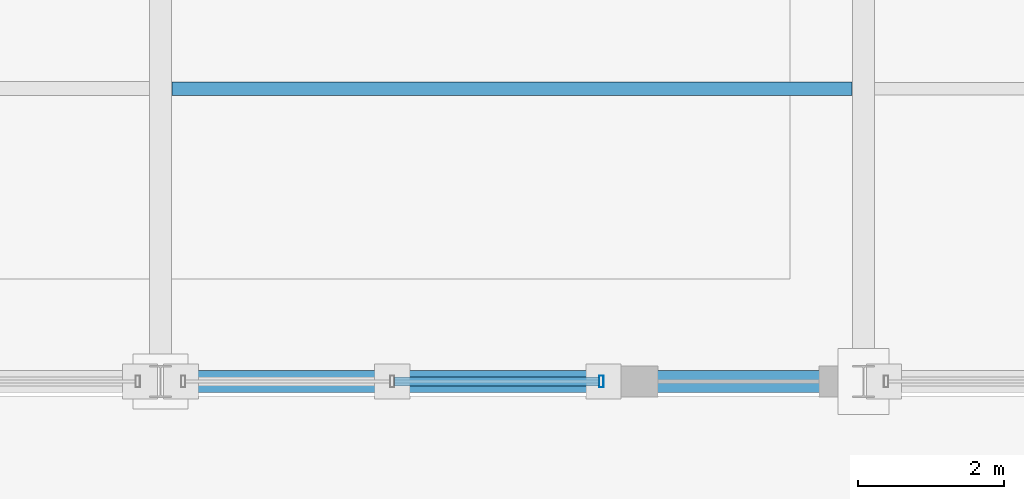
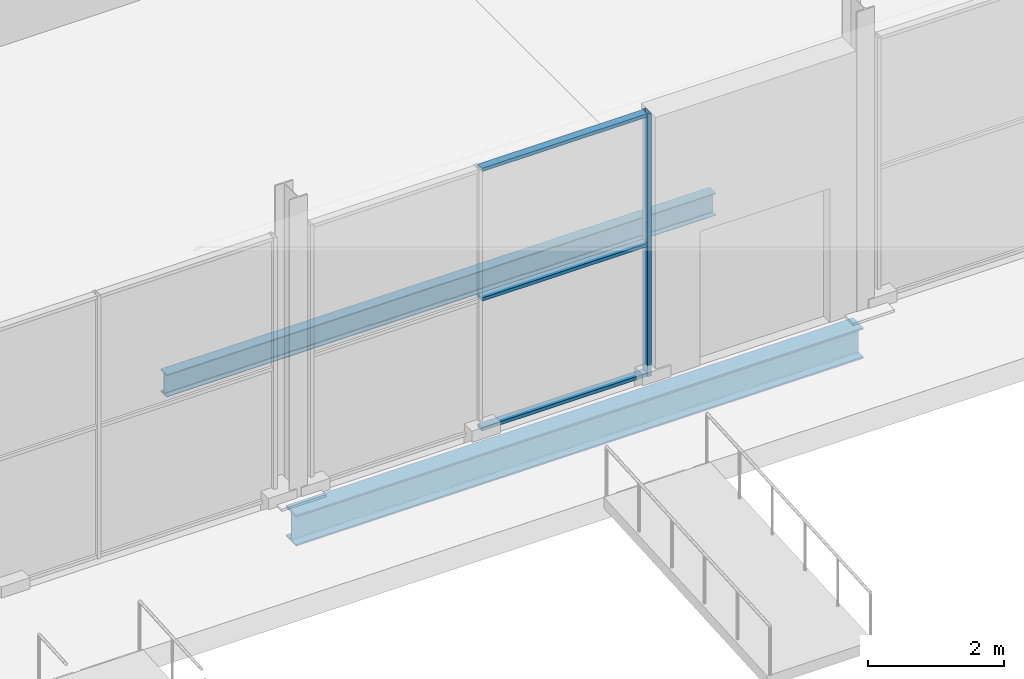
# One storey, part 37 of 196: 4 members, 2 beams, 1 element without a shape of its own.
"""IFC4 building model written with IfcOpenShell, lengths in metres."""

from ifc_helpers import new_model, si_unit, direction, frame, origin, origin_2d, place, context, subcontext, project, spatial, hollow_rectangle, i_section, extrude, material, material_profile, profile_set, type_object, element, aggregate, save


model = new_model("IFC4")

# Units and contexts
model_context = context("Model", 3, precision=1e-05, world=origin(), true_north=direction((0.0, 1.0)))
body_context = subcontext(model_context, "Body", "Model", "MODEL_VIEW")
ifc_project = project(units=[si_unit("LENGTHUNIT", "METRE"), si_unit("AREAUNIT", "SQUARE_METRE"), si_unit("VOLUMEUNIT", "CUBIC_METRE"), si_unit("PLANEANGLEUNIT", "RADIAN"), si_unit("MASSUNIT", "GRAM", prefix="KILO")], contexts=[model_context])

# Site, building, storey
site_placement = place(None, origin())
site = spatial("IfcSite", under=ifc_project, at=site_placement, CompositionType="ELEMENT")
building_placement = place(site_placement, origin())
building = spatial("IfcBuilding", under=site, at=building_placement, Name="Merenkruunu Market Hall", CompositionType="ELEMENT")
storey_placement = place(building_placement, origin())
storey = spatial("IfcBuildingStorey", under=building, at=storey_placement, Name="L00", CompositionType="ELEMENT", Elevation=0.0)

# Curtain wall, members
ifc_material_1 = material(Name="Powder-coated aluminium", Category="aluminium")
curtain_wall_type = type_object("IfcCurtainWallType", Name="Glazed Curtain Wall CW06", PredefinedType="USERDEFINED", material=ifc_material_1)
curtain_wall_placement = place(storey_placement, origin())
curtain_wall = element("IfcCurtainWall", 1, at=curtain_wall_placement, inside=storey, type_object=curtain_wall_type, Name="CW-L00-CWM01-031", ObjectType="GLAZED_FACADE", PredefinedType="USERDEFINED")
ifc_material_profile_1 = material_profile(ifc_material_1, hollow_rectangle(XDim=0.06005859375, YDim=0.159912109375, WallThickness=0.00390625, at=origin_2d()), Name="ALU 60x160x4")
ifc_profile_set_1 = profile_set([ifc_material_profile_1], Name="Powder-coated aluminium")
member_type_1 = type_object("IfcMemberType", Name="Curtain Wall Mullion CWM01", PredefinedType="MULLION", material=ifc_profile_set_1)
member_1_placement = place(storey_placement, frame((44.419921875, 15.60009765625, 0.0), z_axis=(0.0, 0.0, 1.0), x_axis=(-1.0, 0.0, 0.0)))
member_1 = element("IfcMember", 2, at=member_1_placement, type_object=member_type_1, Name="CW06 mullion 1", PredefinedType="MULLION", context=body_context, shape_type="SweptSolid", body=[
    extrude(hollow_rectangle(XDim=0.06005859375, YDim=0.159912109375, WallThickness=0.00390625, at=origin_2d()), origin(), (0.0, 0.0, 1.0), 4.699951171875),
])
ifc_material_profile_2 = material_profile(ifc_material_1, hollow_rectangle(XDim=0.06005859375, YDim=0.125, WallThickness=0.00390625, at=origin_2d()), Name="ALU 60x125x4")
ifc_profile_set_2 = profile_set([ifc_material_profile_2], Name="Powder-coated aluminium")
member_type_2 = type_object("IfcMemberType", Name="Curtain Wall Transom CWT01", PredefinedType="USERDEFINED", material=ifc_profile_set_2)
member_2_placement = place(storey_placement, frame((44.389892578125, 15.60009765625, 0.030029296875), z_axis=(-1.0, 0.0, 0.0), x_axis=(0.0, 0.0, 1.0)))
member_2 = element("IfcMember", 3, at=member_2_placement, type_object=member_type_2, Name="CW06 transom 1.1", ObjectType="TRANSOM", PredefinedType="USERDEFINED", context=body_context, shape_type="SweptSolid", body=[
    extrude(hollow_rectangle(XDim=0.06005859375, YDim=0.125, WallThickness=0.00390625, at=origin_2d()), origin(), (0.0, 0.0, 1.0), 2.794921875),
])
member_3_placement = place(storey_placement, frame((44.389892578125, 15.60009765625, 2.35009765625), z_axis=(-1.0, 0.0, 0.0), x_axis=(0.0, 0.0, 1.0)))
member_3 = element("IfcMember", 4, at=member_3_placement, type_object=member_type_2, Name="CW06 transom 1.2", ObjectType="TRANSOM", PredefinedType="USERDEFINED", context=body_context, shape_type="SweptSolid", body=[
    extrude(hollow_rectangle(XDim=0.06005859375, YDim=0.125, WallThickness=0.00390625, at=origin_2d()), origin(), (0.0, 0.0, 1.0), 2.794921875),
])
member_4_placement = place(storey_placement, frame((44.389892578125, 15.60009765625, 4.669921875), z_axis=(-1.0, 0.0, 0.0), x_axis=(0.0, 0.0, 1.0)))
member_4 = element("IfcMember", 5, at=member_4_placement, type_object=member_type_2, Name="CW06 transom 1.3", ObjectType="TRANSOM", PredefinedType="USERDEFINED", context=body_context, shape_type="SweptSolid", body=[
    extrude(hollow_rectangle(XDim=0.06005859375, YDim=0.125, WallThickness=0.00390625, at=origin_2d()), origin(), (0.0, 0.0, 1.0), 2.794921875),
])
aggregate(curtain_wall, [member_1, member_2, member_3, member_4])

# Beams
ifc_material_2 = material(Name="Steel S355J2", Category="steel")
ifc_material_profile_3 = material_profile(ifc_material_2, i_section(OverallWidth=0.300048828125, OverallDepth=0.550048828125, WebThickness=0.014892578125, FlangeThickness=0.029052734375, FilletRadius=0.027099609375, at=origin_2d()), Name="HEB 550")
ifc_profile_set_3 = profile_set([ifc_material_profile_3], Name="Steel S355J2")
beam_type_1 = type_object("IfcBeamType", Name="Primary Floor Girder B02", PredefinedType="BEAM", material=ifc_profile_set_3)
beam_1_placement = place(storey_placement, frame((38.39990234375, 15.60009765625, -0.614990234375), z_axis=(1.0, 0.0, 0.0), x_axis=(0.0, 1.0, 0.0)))
element("IfcBeam", 6, at=beam_1_placement, inside=storey, type_object=beam_type_1, Name="BM-L00-B02-0013", PredefinedType="BEAM", context=body_context, shape_type="SweptSolid", body=[
    extrude(i_section(OverallWidth=0.300048828125, OverallDepth=0.550048828125, WebThickness=0.014892578125, FlangeThickness=0.029052734375, FilletRadius=0.027099609375, at=origin_2d()), origin(), (0.0, 0.0, 1.0), 9.60009765625),
])
ifc_material_profile_4 = material_profile(ifc_material_2, i_section(OverallWidth=0.179931640625, OverallDepth=0.39990234375, WebThickness=0.008544921875, FlangeThickness=0.013427734375, FilletRadius=0.02099609375, at=origin_2d()), Name="IPE 400")
ifc_profile_set_4 = profile_set([ifc_material_profile_4], Name="Steel S355J2")
beam_type_2 = type_object("IfcBeamType", Name="Secondary Floor Joist J02", PredefinedType="JOIST", material=ifc_profile_set_4)
beam_2_placement = place(storey_placement, frame((38.552978515625, 19.60009765625, -0.5400390625), z_axis=(1.0, 0.0, 0.0), x_axis=(0.0, 1.0, 0.0)))
element("IfcBeam", 7, at=beam_2_placement, inside=storey, type_object=beam_type_2, Name="BM-L00-J02-0317", PredefinedType="JOIST", context=body_context, shape_type="SweptSolid", body=[
    extrude(i_section(OverallWidth=0.179931640625, OverallDepth=0.39990234375, WebThickness=0.008544921875, FlangeThickness=0.013427734375, FilletRadius=0.02099609375, at=origin_2d()), origin(), (0.0, 0.0, 1.0), 9.2939453125),
])

save(model, "model.ifc")
